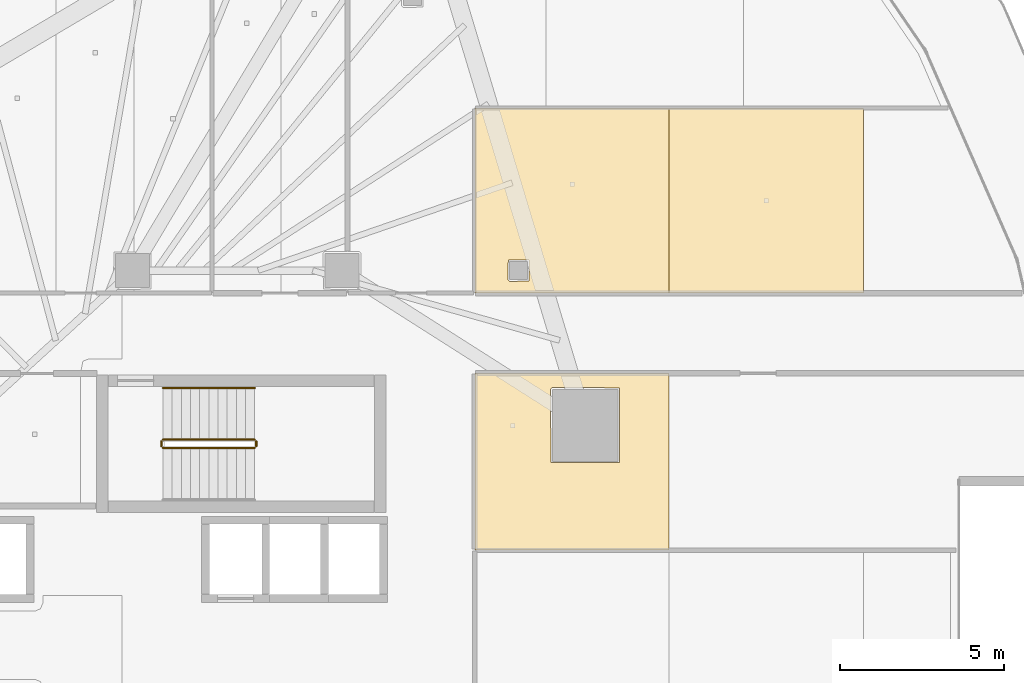
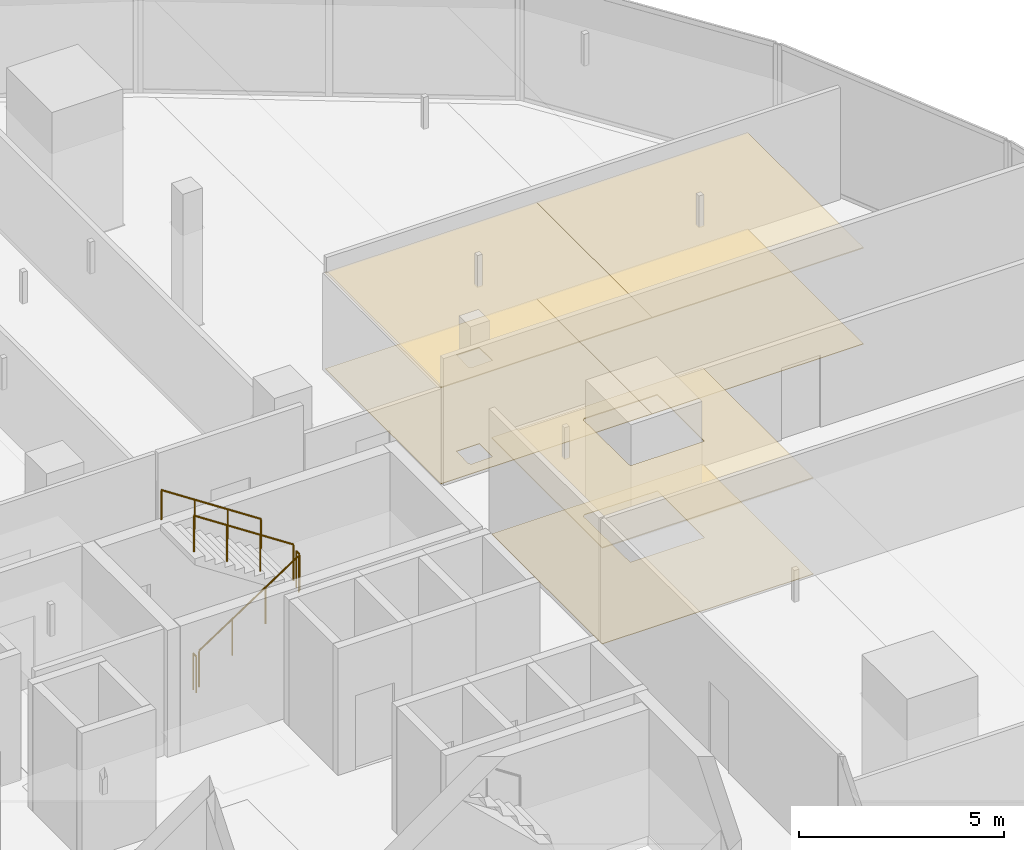
# One storey, part 44 of 45: 6 coverings, 5 railings.
"""IFC4 building model written with IfcOpenShell, lengths in metres."""

from ifc_helpers import new_model, si_unit, direction, frame, origin, origin_2d, place, context, subcontext, project, spatial, polyline, circle, outline, extrude, material, layer, layer_set, type_object, element, save


model = new_model("IFC4")

# Units and contexts
model_context = context("Model", 3, precision=1e-05, world=origin(), true_north=direction((0.0, 1.0)))
body_context = subcontext(model_context, "Body", "Model", "MODEL_VIEW")
ifc_project = project(units=[si_unit("LENGTHUNIT", "METRE"), si_unit("AREAUNIT", "SQUARE_METRE"), si_unit("VOLUMEUNIT", "CUBIC_METRE"), si_unit("PLANEANGLEUNIT", "RADIAN"), si_unit("MASSUNIT", "GRAM", prefix="KILO")], contexts=[model_context])

# Site, building, storey
site_placement = place(None, origin())
site = spatial("IfcSite", under=ifc_project, at=site_placement, CompositionType="ELEMENT")
building_placement = place(site_placement, origin())
building = spatial("IfcBuilding", under=site, at=building_placement, Name="Qorvath Tower", CompositionType="ELEMENT")
storey_placement = place(building_placement, frame((0.0, 0.0, 109.800048828125)))
storey = spatial("IfcBuildingStorey", under=building, at=storey_placement, Name="L24", CompositionType="ELEMENT", Elevation=109.800048828125)

# Coverings
ifc_material_1 = material(Name="Acoustic mineral fibre ceiling tile", Category="gypsum")
ifc_layer_1 = layer(ifc_material_1, 0.030029296875)
ifc_layer_set_1 = layer_set([ifc_layer_1], Name="COV-CEIL")
covering_type_1 = type_object("IfcCoveringType", Name="COV-CEIL", PredefinedType="CEILING", material=ifc_layer_set_1)
covering_1_placement = place(storey_placement, frame((0.0, 0.0, 2.849853515625)))
element("IfcCovering", 1, at=covering_1_placement, inside=storey, type_object=covering_type_1, Name="L24 Suspended Acoustic Ceiling 039", PredefinedType="CEILING", context=body_context, shape_type="SweptSolid", body=[
    extrude(outline(polyline([(-7.20166015625, 10.762939453125), (-7.20166015625, 16.404541015625), (-13.136962890625, 16.402099609375), (-13.136962890625, 10.762939453125), (-7.20166015625, 10.762939453125)]), holes=[polyline([(-12.135009765625, 11.175048828125), (-12.117431640625, 11.767333984375), (-11.482666015625, 11.767333984375), (-11.482666015625, 11.132568359375), (-12.074951171875, 11.114990234375), (-12.135009765625, 11.175048828125)])]), origin(), (0.0, 0.0, 1.0), 0.030029296875),
])
covering_2_placement = place(storey_placement, frame((0.0, 0.0, 2.849853515625)))
element("IfcCovering", 2, at=covering_2_placement, inside=storey, type_object=covering_type_1, Name="L24 Suspended Acoustic Ceiling 040", PredefinedType="CEILING", context=body_context, shape_type="SweptSolid", body=[
    extrude(outline(polyline([(-7.20166015625, 2.916259765625), (-7.20166015625, 8.30908203125), (-13.136962890625, 8.306884765625), (-13.136962890625, 2.916259765625), (-7.20166015625, 2.916259765625)]), holes=[polyline([(-10.830322265625, 7.8212890625), (-10.770263671875, 7.88134765625), (-8.727783203125, 7.86376953125), (-8.727783203125, 5.578857421875), (-10.812744140625, 5.578857421875), (-10.830322265625, 7.8212890625)])]), origin(), (0.0, 0.0, 1.0), 0.030029296875),
])
covering_3_placement = place(storey_placement, frame((0.0, 0.0, 2.849853515625)))
element("IfcCovering", 3, at=covering_3_placement, inside=storey, type_object=covering_type_1, Name="L24 Suspended Acoustic Ceiling 041", PredefinedType="CEILING", context=body_context, shape_type="SweptSolid", body=[
    extrude(outline(polyline([(-1.266357421875, 10.762939453125), (-1.266357421875, 16.406982421875), (-7.20166015625, 16.404541015625), (-7.20166015625, 10.762939453125), (-1.266357421875, 10.762939453125)])), origin(), (0.0, 0.0, 1.0), 0.030029296875),
])
ifc_material_2 = material(Name="Low-VOC modular carpet tile", Category="textile")
ifc_layer_2 = layer(ifc_material_2, 0.014892578125)
ifc_layer_set_2 = layer_set([ifc_layer_2], Name="COV-FLOOR-CPT")
covering_type_2 = type_object("IfcCoveringType", Name="COV-FLOOR-CPT", PredefinedType="FLOORING", material=ifc_layer_set_2)
covering_4_placement = place(storey_placement, origin())
element("IfcCovering", 4, at=covering_4_placement, inside=storey, type_object=covering_type_2, Name="L24 Floor Finish 039", PredefinedType="FLOORING", context=body_context, shape_type="SweptSolid", body=[
    extrude(outline(polyline([(-7.20166015625, 10.762939453125), (-7.20166015625, 16.404541015625), (-13.136962890625, 16.402099609375), (-13.136962890625, 10.762939453125), (-7.20166015625, 10.762939453125)]), holes=[polyline([(-12.135009765625, 11.175048828125), (-12.117431640625, 11.767333984375), (-11.482666015625, 11.767333984375), (-11.482666015625, 11.132568359375), (-12.074951171875, 11.114990234375), (-12.135009765625, 11.175048828125)])]), origin(), (0.0, 0.0, 1.0), 0.014892578125),
])
covering_5_placement = place(storey_placement, origin())
element("IfcCovering", 5, at=covering_5_placement, inside=storey, type_object=covering_type_2, Name="L24 Floor Finish 040", PredefinedType="FLOORING", context=body_context, shape_type="SweptSolid", body=[
    extrude(outline(polyline([(-7.20166015625, 2.916259765625), (-7.20166015625, 8.30908203125), (-13.136962890625, 8.306884765625), (-13.136962890625, 2.916259765625), (-7.20166015625, 2.916259765625)]), holes=[polyline([(-10.830322265625, 7.8212890625), (-10.770263671875, 7.88134765625), (-8.727783203125, 7.86376953125), (-8.727783203125, 5.578857421875), (-10.812744140625, 5.578857421875), (-10.830322265625, 7.8212890625)])]), origin(), (0.0, 0.0, 1.0), 0.014892578125),
])
covering_6_placement = place(storey_placement, origin())
element("IfcCovering", 6, at=covering_6_placement, inside=storey, type_object=covering_type_2, Name="L24 Floor Finish 041", PredefinedType="FLOORING", context=body_context, shape_type="SweptSolid", body=[
    extrude(outline(polyline([(-1.266357421875, 10.762939453125), (-1.266357421875, 16.406982421875), (-7.20166015625, 16.404541015625), (-7.20166015625, 10.762939453125), (-1.266357421875, 10.762939453125)])), origin(), (0.0, 0.0, 1.0), 0.014892578125),
])

# Railings
ifc_material_3 = material(Name="Painted galvanised steel", Category="steel")
railing_type_1 = type_object("IfcRailingType", Name="RL-STR-GRD", PredefinedType="GUARDRAIL", material=ifc_material_3)
railing_1_placement = place(storey_placement, frame((-22.669921875, 6.030029296875, 0.18408203125)))
element("IfcRailing", 7, at=railing_1_placement, inside=storey, type_object=railing_type_1, Name="L24 TS1 stair guard 1", PredefinedType="GUARDRAIL", context=body_context, shape_type="SweptSolid", body=[
    extrude(circle(Radius=0.02392578125, at=origin_2d()), frame((0.0, 0.0, 1.076171875), z_axis=(0.835575518608, 0.0, 0.549375602573), x_axis=(0.0, 1.0, 0.0)), (0.0, 0.0, 1.0), 3.350830078125),
    extrude(circle(Radius=0.02099609375, at=origin_2d()), origin(), (0.0, 0.0, 1.0), 1.052001953125),
    extrude(circle(Radius=0.02099609375, at=origin_2d()), frame((0.933349609375, 0.0, 0.613525390625)), (0.0, 0.0, 1.0), 1.052001953125),
    extrude(circle(Radius=0.02099609375, at=origin_2d()), frame((1.866455078125, 0.0, 1.227294921875)), (0.0, 0.0, 1.0), 1.052001953125),
    extrude(circle(Radius=0.02099609375, at=origin_2d()), frame((2.7998046875, 0.0, 1.8408203125)), (0.0, 0.0, 1.0), 1.052001953125),
])
railing_2_placement = place(storey_placement, frame((-19.820068359375, 6.080078125, 2.02490234375)))
element("IfcRailing", 8, at=railing_2_placement, inside=storey, type_object=railing_type_1, Name="L24 TS1 stair guard 2", PredefinedType="GUARDRAIL", context=body_context, shape_type="SweptSolid", body=[
    extrude(circle(Radius=0.02392578125, at=origin_2d()), frame((0.0, 0.0, 1.076171875), z_axis=(0.0, 1.0, 0.0), x_axis=(-1.0, 0.0, 0.0)), (0.0, 0.0, 1.0), 0.14990234375),
    extrude(circle(Radius=0.02099609375, at=origin_2d()), origin(), (0.0, 0.0, 1.0), 1.052001953125),
    extrude(circle(Radius=0.02099609375, at=origin_2d()), frame((0.0, 0.14990234375, 0.0)), (0.0, 0.0, 1.0), 1.052001953125),
])
railing_3_placement = place(storey_placement, frame((-19.8701171875, 6.280029296875, 2.208984375)))
element("IfcRailing", 9, at=railing_3_placement, inside=storey, type_object=railing_type_1, Name="L24 TS1 stair guard 3", PredefinedType="GUARDRAIL", context=body_context, shape_type="SweptSolid", body=[
    extrude(circle(Radius=0.02392578125, at=origin_2d()), frame((0.0, 0.0, 1.076171875), z_axis=(-0.835542071712, 0.0, 0.549426470421), x_axis=(0.0, -1.0, 0.0)), (0.0, 0.0, 1.0), 3.350830078125),
    extrude(circle(Radius=0.02099609375, at=origin_2d()), origin(), (0.0, 0.0, 1.0), 1.052001953125),
    extrude(circle(Radius=0.02099609375, at=origin_2d()), frame((-0.933349609375, 0.0, 0.61376953125)), (0.0, 0.0, 1.0), 1.052001953125),
    extrude(circle(Radius=0.02099609375, at=origin_2d()), frame((-1.866455078125, 0.0, 1.227294921875)), (0.0, 0.0, 1.0), 1.052001953125),
    extrude(circle(Radius=0.02099609375, at=origin_2d()), frame((-2.7998046875, 0.0, 1.841064453125)), (0.0, 0.0, 1.0), 1.052001953125),
])
railing_4_placement = place(storey_placement, frame((-22.719970703125, 6.080078125, 0.0)))
element("IfcRailing", 10, at=railing_4_placement, inside=storey, type_object=railing_type_1, Name="L24 TS1 stair guard 4", PredefinedType="GUARDRAIL", context=body_context, shape_type="SweptSolid", body=[
    extrude(circle(Radius=0.02392578125, at=origin_2d()), frame((0.0, 0.0, 1.076171875), z_axis=(0.0, 1.0, 0.0), x_axis=(-1.0, 0.0, 0.0)), (0.0, 0.0, 1.0), 0.14990234375),
    extrude(circle(Radius=0.02099609375, at=origin_2d()), origin(), (0.0, 0.0, 1.0), 1.052001953125),
    extrude(circle(Radius=0.02099609375, at=origin_2d()), frame((0.0, 0.14990234375, 0.0)), (0.0, 0.0, 1.0), 1.052001953125),
])
ifc_material_4 = material(Name="Brushed stainless steel AISI 304", Category="steel")
railing_type_2 = type_object("IfcRailingType", Name="RL-STR-HND", PredefinedType="HANDRAIL", material=ifc_material_4)
railing_5_placement = place(storey_placement, frame((-19.8701171875, 7.860107421875, 2.208984375)))
element("IfcRailing", 11, at=railing_5_placement, inside=storey, type_object=railing_type_2, Name="L24 TS1 stair handrail 2", PredefinedType="HANDRAIL", context=body_context, shape_type="SweptSolid", body=[
    extrude(circle(Radius=0.02392578125, at=origin_2d()), frame((0.0, 0.0, 0.8759765625), z_axis=(-0.835542071712, 0.0, 0.549426470421), x_axis=(0.0, -1.0, 0.0)), (0.0, 0.0, 1.0), 3.350830078125),
    extrude(circle(Radius=0.02099609375, at=origin_2d()), origin(), (0.0, 0.0, 1.0), 0.851806640625),
    extrude(circle(Radius=0.02099609375, at=origin_2d()), frame((-0.933349609375, 0.0, 0.61376953125)), (0.0, 0.0, 1.0), 0.851806640625),
    extrude(circle(Radius=0.02099609375, at=origin_2d()), frame((-1.866455078125, 0.0, 1.227294921875)), (0.0, 0.0, 1.0), 0.851806640625),
    extrude(circle(Radius=0.02099609375, at=origin_2d()), frame((-2.7998046875, 0.0, 1.841064453125)), (0.0, 0.0, 1.0), 0.851806640625),
])

save(model, "model.ifc")
